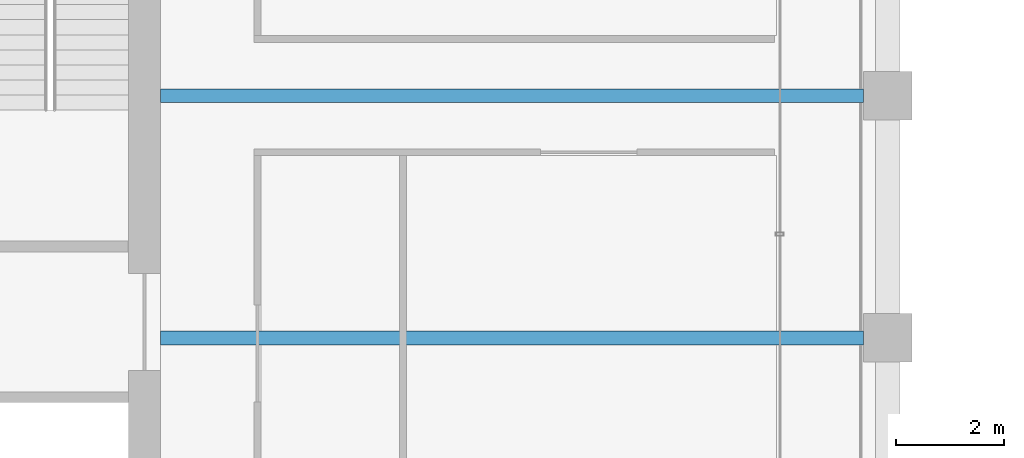
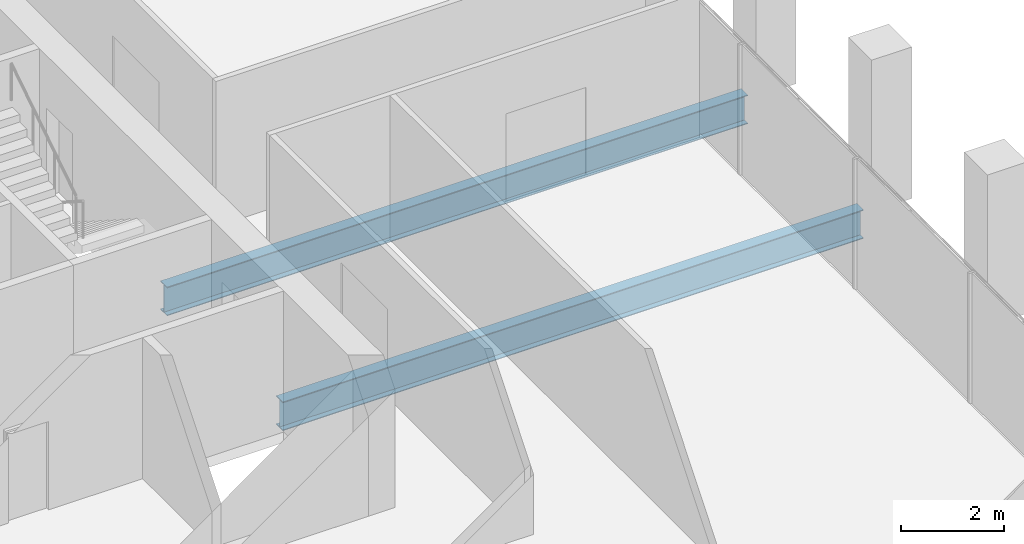
# One storey, part 16 of 40: 2 beams.
"""IFC4 building model written with IfcOpenShell, lengths in metres."""

from ifc_helpers import new_model, si_unit, direction, frame, origin, origin_2d, place, context, subcontext, project, spatial, i_section, extrude, material, material_profile, profile_set, type_object, element, save


model = new_model("IFC4")

# Units and contexts
model_context = context("Model", 3, precision=1e-05, world=origin(), true_north=direction((0.0, 1.0)))
body_context = subcontext(model_context, "Body", "Model", "MODEL_VIEW")
ifc_project = project(units=[si_unit("LENGTHUNIT", "METRE"), si_unit("AREAUNIT", "SQUARE_METRE"), si_unit("VOLUMEUNIT", "CUBIC_METRE"), si_unit("PLANEANGLEUNIT", "RADIAN"), si_unit("MASSUNIT", "GRAM", prefix="KILO")], contexts=[model_context])

# Site, building, storey
site_placement = place(None, origin())
site = spatial("IfcSite", under=ifc_project, at=site_placement, CompositionType="ELEMENT")
building_placement = place(site_placement, origin())
building = spatial("IfcBuilding", under=site, at=building_placement, Name="Altepetl Exchange Towers", CompositionType="ELEMENT")
storey_placement = place(building_placement, frame((0.0, 0.0, 158.199951171875)))
storey = spatial("IfcBuildingStorey", under=building, at=storey_placement, Name="L39", CompositionType="ELEMENT", Elevation=158.199951171875)

# Beams
ifc_material = material(Name="Steel S355", Category="steel")
ifc_material_profile = material_profile(ifc_material, i_section(OverallWidth=0.25390625, OverallDepth=0.68408203125, WebThickness=0.012451171875, FlangeThickness=0.018798828125, at=origin_2d()), Name="W27X94")
ifc_profile_set = profile_set([ifc_material_profile], Name="Steel S355")
beam_type = type_object("IfcBeamType", Name="Floor beam W27X94", PredefinedType="BEAM", material=ifc_profile_set)
for number, where, z_axis, x_axis, name in (
    (1, (58.5, 45.0, -0.491943359375), (1.0, 0.0, 0.0), (0.0, 1.0, 0.0), "bm:A:L39:009"),
    (2, (58.5, 49.5, -0.491943359375), (1.0, 0.0, 0.0), (0.0, 1.0, 0.0), "bm:A:L39:010"),
):
    element("IfcBeam", number, at=place(storey_placement, frame(where, z_axis=z_axis, x_axis=x_axis)), inside=storey, type_object=beam_type, Name=name, PredefinedType="BEAM", context=body_context, shape_type="SweptSolid", body=[
        extrude(i_section(OverallWidth=0.25390625, OverallDepth=0.68408203125, WebThickness=0.012451171875, FlangeThickness=0.018798828125, at=origin_2d()), origin(), (0.0, 0.0, 1.0), 13.050048828125),
    ])

save(model, "model.ifc")
